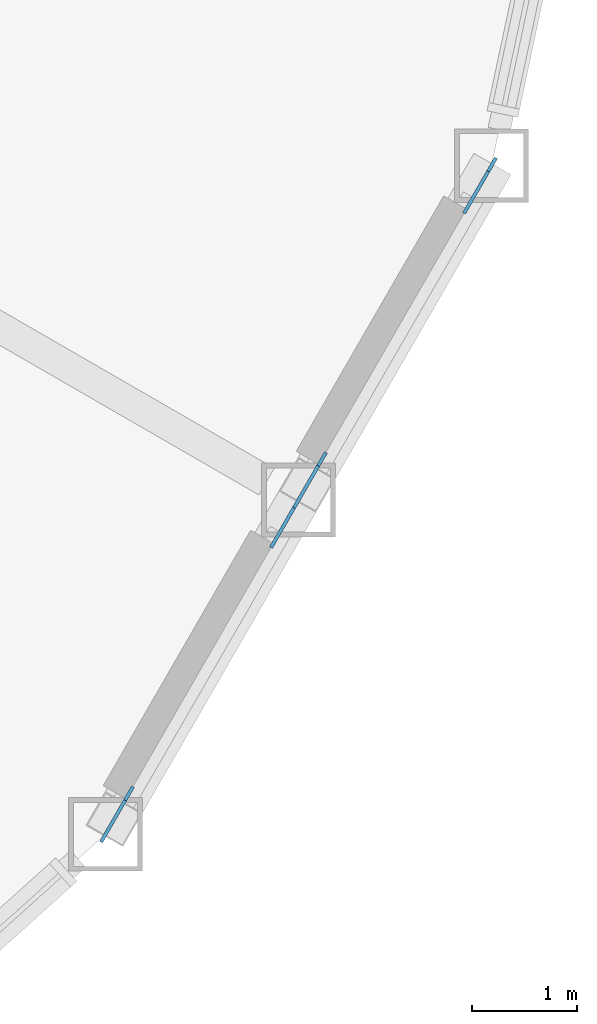
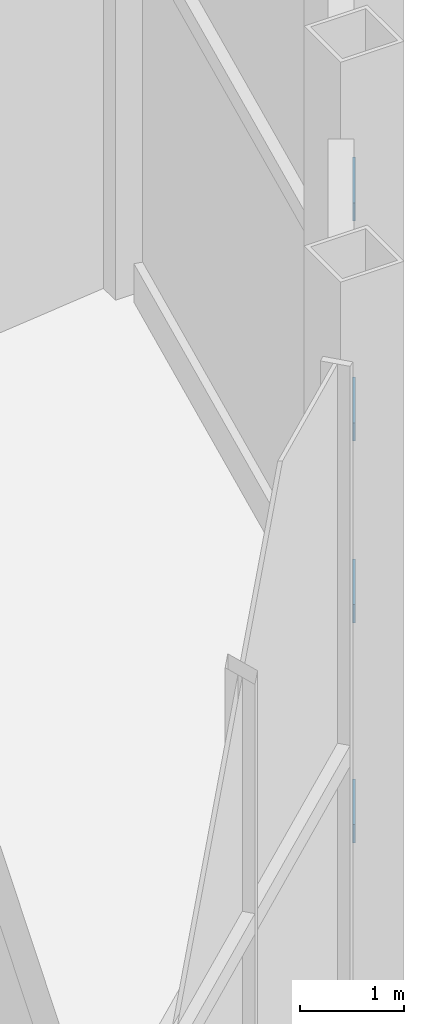
# One storey, part 12 of 17: 4 discrete accessories.
"""IFC4 building model written with IfcOpenShell, lengths in metres."""

from ifc_helpers import new_model, si_unit, direction, frame, origin, origin_2d, place, context, subcontext, project, spatial, rectangle, extrude, material, material_profile, profile_set, type_object, element, save


model = new_model("IFC4")

# Units and contexts
model_context = context("Model", 3, precision=1e-05, world=origin(), true_north=direction((0.0, 1.0)))
body_context = subcontext(model_context, "Body", "Model", "MODEL_VIEW")
ifc_project = project(units=[si_unit("LENGTHUNIT", "METRE"), si_unit("AREAUNIT", "SQUARE_METRE"), si_unit("VOLUMEUNIT", "CUBIC_METRE"), si_unit("PLANEANGLEUNIT", "RADIAN"), si_unit("MASSUNIT", "GRAM", prefix="KILO")], contexts=[model_context])

# Site, building, storey
site_placement = place(None, origin())
site = spatial("IfcSite", under=ifc_project, at=site_placement, CompositionType="ELEMENT")
building_placement = place(site_placement, origin())
building = spatial("IfcBuilding", under=site, at=building_placement, Name="Cormorant Prow Tower", CompositionType="ELEMENT")
storey_placement = place(building_placement, frame((0.0, 0.0, 277.800048828125)))
storey = spatial("IfcBuildingStorey", under=building, at=storey_placement, Name="L63", CompositionType="ELEMENT", Elevation=277.800048828125)

# Discrete accessories
ifc_material = material(Name="Structural steel ASTM A500 Gr C", Category="steel")
ifc_material_profile = material_profile(ifc_material, rectangle(XDim=0.031982421875, YDim=0.506103515625, at=origin_2d()), Name="Gusset plate 32x506")
ifc_profile_set = profile_set([ifc_material_profile], Name="Structural steel ASTM A500 Gr C")
discrete_accessory_type = type_object("IfcDiscreteAccessoryType", Name="Gusset plate 32x506", PredefinedType="BRACKET", material=ifc_profile_set)
for number, where, z_axis, x_axis, name in (
    (1, (27.6298828125, -16.290283203125, 1.230224609375), (0.21068287928, 0.364858098886, -0.906913056503), (-0.865992557167, 0.500056887695, 0.0), "Gusset plate GP2 L63.ESE00.g0"),
    (2, (26.087646484375, -18.9619140625, 7.87060546875), (-0.21068287928, -0.364858098886, 0.906913056503), (0.865992557167, -0.500056887695, 0.0), "Gusset plate GP2 L63.ESE00.g1"),
    (3, (29.46533203125, -13.111572265625, 1.230224609375), (0.21068287928, 0.364858098886, -0.906913056503), (-0.865992557167, 0.500056887695, 0.0), "Gusset plate GP2 L63.ESE01.g0"),
    (4, (27.9228515625, -15.783203125, 7.87060546875), (-0.21068287928, -0.364858098886, 0.906913056503), (0.865992557167, -0.500056887695, 0.0), "Gusset plate GP2 L63.ESE01.g1"),
):
    element("IfcDiscreteAccessory", number, at=place(storey_placement, frame(where, z_axis=z_axis, x_axis=x_axis)), inside=storey, type_object=discrete_accessory_type, Name=name, PredefinedType="BRACKET", context=body_context, shape_type="SweptSolid", body=[
        extrude(rectangle(XDim=0.031982421875, YDim=0.506103515625, at=origin_2d()), origin(), (0.0, 0.0, 1.0), 0.349853515625),
    ])

save(model, "model.ifc")
